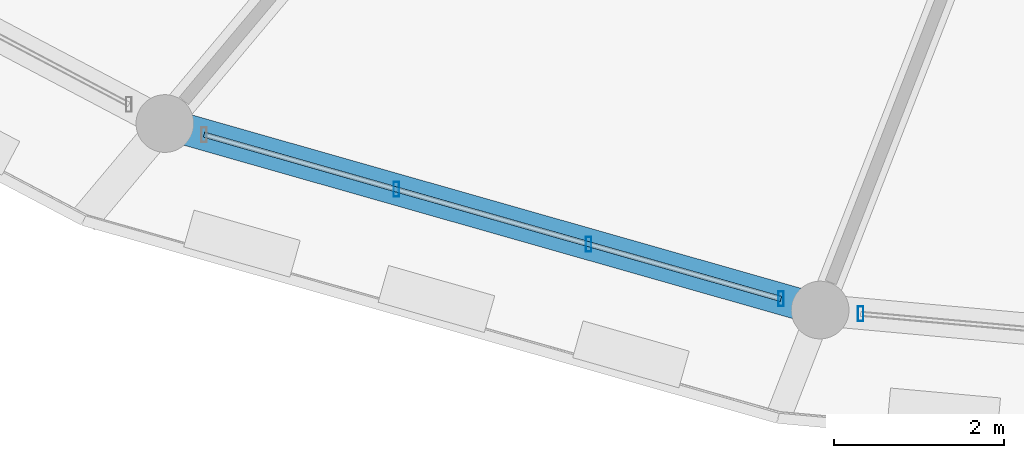
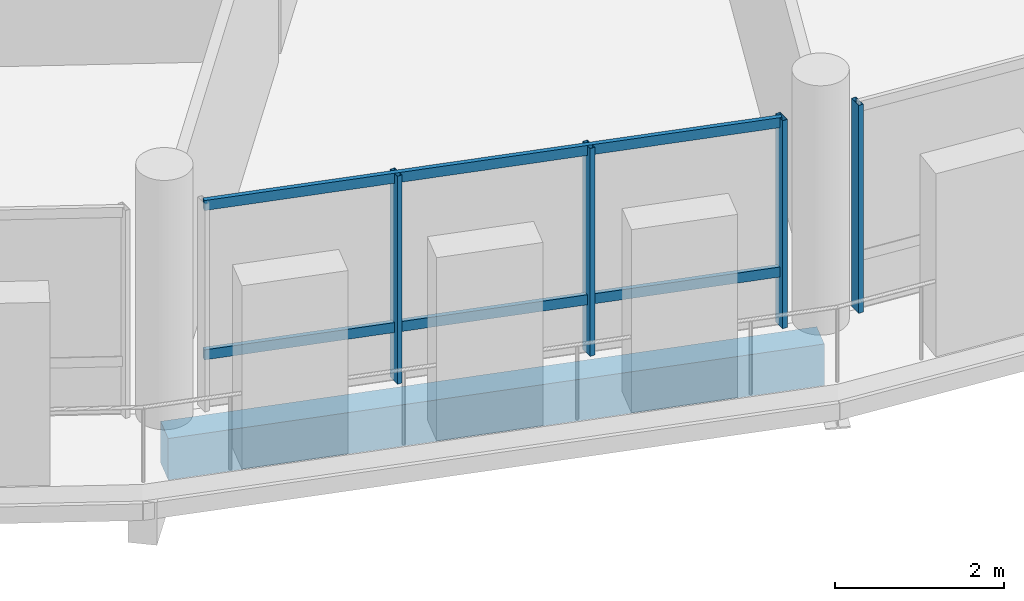
# One storey, part 42 of 128: 6 members, 1 beam, 2 elements without a shape of their own.
"""IFC4 building model written with IfcOpenShell, lengths in metres."""

from ifc_helpers import new_model, si_unit, direction, frame, origin, origin_2d, place, context, subcontext, project, spatial, rectangle, hollow_rectangle, extrude, material, material_profile, profile_set, type_object, element, aggregate, save


model = new_model("IFC4")

# Units and contexts
model_context = context("Model", 3, precision=1e-05, world=origin(), true_north=direction((0.0, 1.0)))
body_context = subcontext(model_context, "Body", "Model", "MODEL_VIEW")
ifc_project = project(units=[si_unit("LENGTHUNIT", "METRE"), si_unit("AREAUNIT", "SQUARE_METRE"), si_unit("VOLUMEUNIT", "CUBIC_METRE"), si_unit("PLANEANGLEUNIT", "RADIAN"), si_unit("MASSUNIT", "GRAM", prefix="KILO")], contexts=[model_context])

# Site, building, storey
site_placement = place(None, origin())
site = spatial("IfcSite", under=ifc_project, at=site_placement, CompositionType="ELEMENT")
building_placement = place(site_placement, origin())
building = spatial("IfcBuilding", under=site, at=building_placement, Name="Zornivar Specialist Clinic", CompositionType="ELEMENT")
storey_placement = place(building_placement, frame((0.0, 0.0, 4.5)))
storey = spatial("IfcBuildingStorey", under=building, at=storey_placement, Name="L01", CompositionType="ELEMENT", Elevation=4.5)

# Beam
ifc_material_1 = material(Name="Concrete C30/37", Category="concrete")
ifc_material_profile_1 = material_profile(ifc_material_1, rectangle(XDim=0.3701171875, YDim=0.60009765625, at=origin_2d()), Name="RC 370x600")
ifc_profile_set_1 = profile_set([ifc_material_profile_1], Name="Concrete C30/37")
beam_type = type_object("IfcBeamType", Name="BM-RC-SPANDREL-370x600", PredefinedType="SPANDREL", material=ifc_profile_set_1)
beam_placement = place(storey_placement, frame((77.60009765625, 38.547119140625, -0.5400390625), z_axis=(0.961790992591, -0.273784744957, 0.0), x_axis=(0.273784744957, 0.961790992591, 0.0)))
element("IfcBeam", 1, at=beam_placement, inside=storey, type_object=beam_type, Name="bm:V1:L01:outring:16", PredefinedType="SPANDREL", context=body_context, shape_type="SweptSolid", body=[
    extrude(rectangle(XDim=0.3701171875, YDim=0.60009765625, at=origin_2d()), origin(), (0.0, 0.0, 1.0), 8.024658203125),
])

# Curtain wall, members
ifc_material_2 = material(Name="Aluminium and Low-E Glass Curtain Wall", Category="aluminium")
curtain_wall_type = type_object("IfcCurtainWallType", Name="CW-DRUM-FACET", PredefinedType="NOTDEFINED", material=ifc_material_2)
curtain_wall_1_placement = place(storey_placement, origin())
curtain_wall_1 = element("IfcCurtainWall", 2, at=curtain_wall_1_placement, inside=storey, type_object=curtain_wall_type, Name="cw:V1:L01:c16", PredefinedType="NOTDEFINED")
ifc_material_3 = material(Name="Aluminium AW-6060", Category="aluminium")
ifc_material_profile_2 = material_profile(ifc_material_3, hollow_rectangle(XDim=0.06494140625, YDim=0.175048828125, WallThickness=0.00439453125, at=origin_2d()), Name="ALU 65x175x4.5")
ifc_profile_set_2 = profile_set([ifc_material_profile_2], Name="Aluminium AW-6060")
member_type_1 = type_object("IfcMemberType", Name="CWM-MUL-175", PredefinedType="MULLION", material=ifc_profile_set_2)
member_1_placement = place(storey_placement, frame((80.325927734375, 37.77099609375, 0.0), z_axis=(0.0, 0.0, 1.0), x_axis=(1.0, 0.0, 0.0)))
member_1 = element("IfcMember", 3, at=member_1_placement, type_object=member_type_1, Name="cw:V1:L01:c16:mul:1", PredefinedType="MULLION", context=body_context, shape_type="SweptSolid", body=[
    extrude(hollow_rectangle(XDim=0.06494140625, YDim=0.175048828125, WallThickness=0.00439453125, at=origin_2d()), origin(), (0.0, 0.0, 1.0), 3.010009765625),
])
member_2_placement = place(storey_placement, frame((82.592041015625, 37.126953125, 0.0), z_axis=(0.0, 0.0, 1.0), x_axis=(1.0, 0.0, 0.0)))
member_2 = element("IfcMember", 4, at=member_2_placement, type_object=member_type_1, Name="cw:V1:L01:c16:mul:2", PredefinedType="MULLION", context=body_context, shape_type="SweptSolid", body=[
    extrude(hollow_rectangle(XDim=0.06494140625, YDim=0.175048828125, WallThickness=0.00439453125, at=origin_2d()), origin(), (0.0, 0.0, 1.0), 3.010009765625),
])
member_3_placement = place(storey_placement, frame((84.85693359375, 36.48193359375, 0.0), z_axis=(0.0, 0.0, 1.0), x_axis=(1.0, 0.0, 0.0)))
member_3 = element("IfcMember", 5, at=member_3_placement, type_object=member_type_1, Name="cw:V1:L01:c16:mul:3", PredefinedType="MULLION", context=body_context, shape_type="SweptSolid", body=[
    extrude(hollow_rectangle(XDim=0.06494140625, YDim=0.175048828125, WallThickness=0.00439453125, at=origin_2d()), origin(), (0.0, 0.0, 1.0), 3.010009765625),
])

# Curtain wall, member
curtain_wall_2_placement = place(storey_placement, origin())
curtain_wall_2 = element("IfcCurtainWall", 6, at=curtain_wall_2_placement, inside=storey, type_object=curtain_wall_type, Name="cw:V1:L01:c17", PredefinedType="NOTDEFINED")
member_4_placement = place(storey_placement, frame((85.7958984375, 36.305908203125, 0.0), z_axis=(0.0, 0.0, 1.0), x_axis=(1.0, 0.0, 0.0)))
member_4 = element("IfcMember", 7, at=member_4_placement, type_object=member_type_1, Name="cw:V1:L01:c17:mul:0", PredefinedType="MULLION", context=body_context, shape_type="SweptSolid", body=[
    extrude(hollow_rectangle(XDim=0.06494140625, YDim=0.175048828125, WallThickness=0.00439453125, at=origin_2d()), origin(), (0.0, 0.0, 1.0), 3.010009765625),
])
aggregate(curtain_wall_2, [member_4])

# Member
ifc_material_4 = material(Name="Aluminium AW-6060", Category="aluminium")
ifc_material_profile_3 = material_profile(ifc_material_4, hollow_rectangle(XDim=0.06005859375, YDim=0.14501953125, WallThickness=0.00390625, at=origin_2d()), Name="ALU 60x145x4")
ifc_profile_set_3 = profile_set([ifc_material_profile_3], Name="Aluminium AW-6060")
member_type_2 = type_object("IfcMemberType", Name="CWM-TRN-145", PredefinedType="USERDEFINED", material=ifc_profile_set_3)
member_5_placement = place(storey_placement, frame((78.06103515625, 38.416015625, 0.782958984375), z_axis=(0.961771283353, -0.27385397298, 0.0), x_axis=(0.27385397298, 0.961771283353, 0.0)))
member_5 = element("IfcMember", 8, at=member_5_placement, type_object=member_type_2, Name="cw:V1:L01:c16:trn:0", ObjectType="TRANSOM", PredefinedType="USERDEFINED", context=body_context, shape_type="SweptSolid", body=[
    extrude(hollow_rectangle(XDim=0.06005859375, YDim=0.14501953125, WallThickness=0.00390625, at=origin_2d()), origin(), (0.0, 0.0, 1.0), 7.06591796875),
])

member_6_placement = place(storey_placement, frame((78.06103515625, 38.416015625, 2.945068359375), z_axis=(0.961771283353, -0.27385397298, 0.0), x_axis=(0.27385397298, 0.961771283353, 0.0)))
member_6 = element("IfcMember", 9, at=member_6_placement, type_object=member_type_2, Name="cw:V1:L01:c16:trn:1", ObjectType="TRANSOM", PredefinedType="USERDEFINED", context=body_context, shape_type="SweptSolid", body=[
    extrude(hollow_rectangle(XDim=0.06005859375, YDim=0.14501953125, WallThickness=0.00390625, at=origin_2d()), origin(), (0.0, 0.0, 1.0), 7.06591796875),
])

aggregate(curtain_wall_1, [member_1, member_2, member_3, member_5, member_6])

save(model, "model.ifc")
